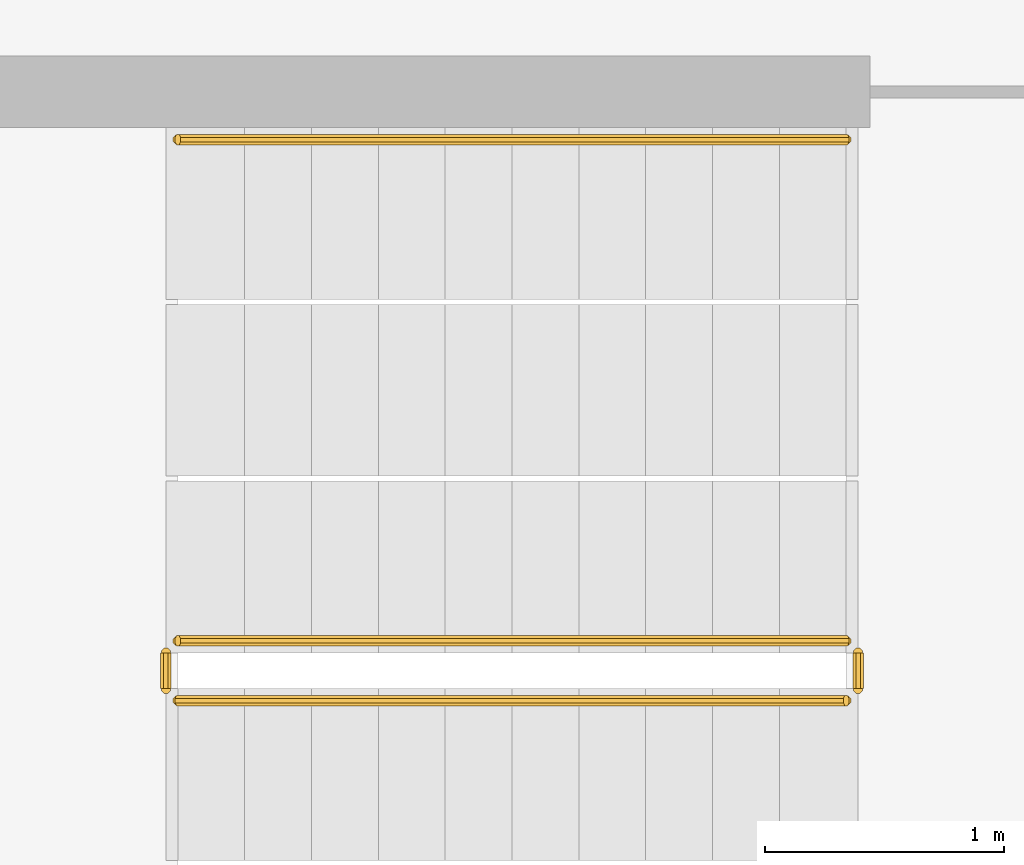
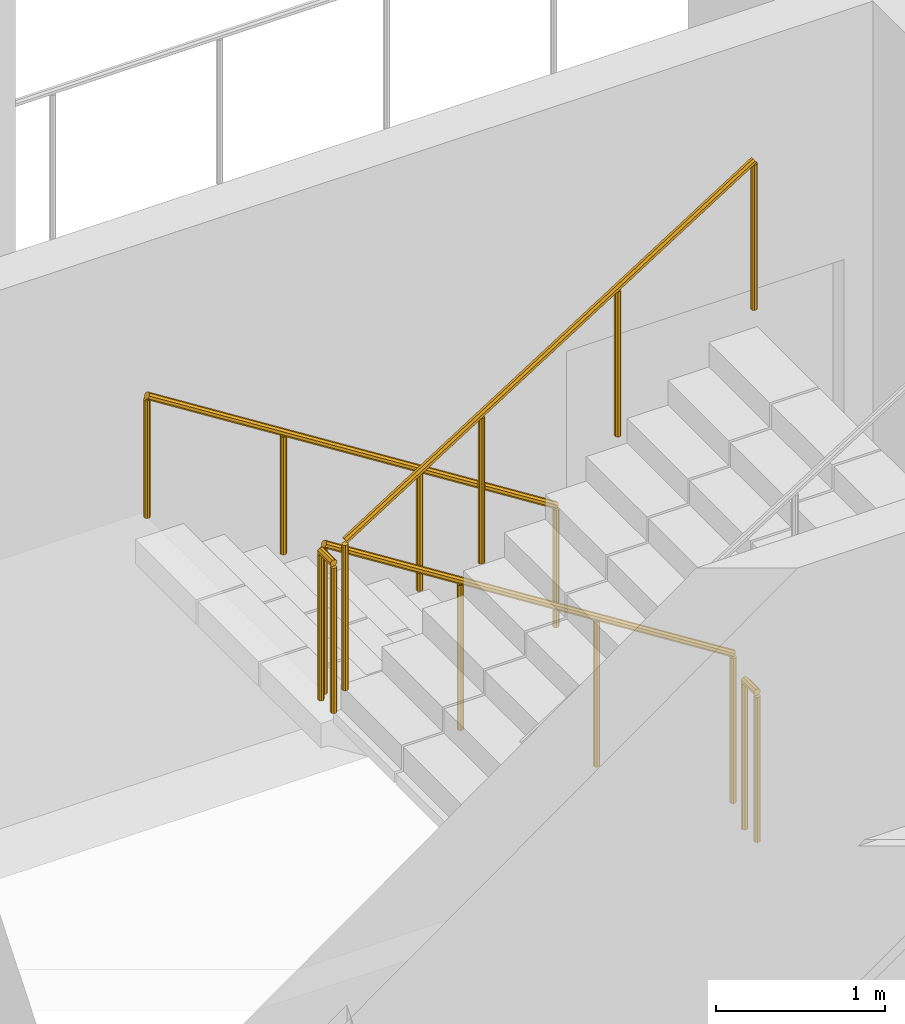
# One storey, part 19 of 26: 5 railings.
"""IFC4 building model written with IfcOpenShell, lengths in metres."""

from ifc_helpers import new_model, si_unit, direction, frame, origin, place, context, subcontext, project, spatial, polyline, outline, extrude, material, type_object, element, save


model = new_model("IFC4")

# Units and contexts
model_context = context("Model", 3, precision=1e-05, world=origin(), true_north=direction((0.0, 1.0)))
body_context = subcontext(model_context, "Body", "Model", "MODEL_VIEW")
ifc_project = project(units=[si_unit("LENGTHUNIT", "METRE"), si_unit("AREAUNIT", "SQUARE_METRE"), si_unit("VOLUMEUNIT", "CUBIC_METRE"), si_unit("PLANEANGLEUNIT", "RADIAN"), si_unit("MASSUNIT", "GRAM", prefix="KILO")], contexts=[model_context])

# Site, building, storey
site_placement = place(None, origin())
site = spatial("IfcSite", under=ifc_project, at=site_placement, CompositionType="ELEMENT")
building_placement = place(site_placement, origin())
building = spatial("IfcBuilding", under=site, at=building_placement, Name="Cormorant Relay Tower", CompositionType="ELEMENT")
storey_placement = place(building_placement, frame((0.0, 0.0, 205.199951171875)))
storey = spatial("IfcBuildingStorey", under=building, at=storey_placement, Name="L44", CompositionType="ELEMENT", Elevation=205.199951171875)

# Railings
ifc_material_1 = material(Name="Steel ASTM A572 Grade 50 (Fy 345 MPa)", Category="steel")
railing_type_1 = type_object("IfcRailingType", Name="Stair guard 1100", PredefinedType="GUARDRAIL", material=ifc_material_1)
railing_1_placement = place(storey_placement, frame((1.60009765625, -18.27490234375, 0.17724609375)))
element("IfcRailing", 1, at=railing_1_placement, inside=storey, type_object=railing_type_1, Name="L44 RK1 stair guard 1", PredefinedType="GUARDRAIL", context=body_context, shape_type="SweptSolid", body=[
    extrude(outline(polyline([(0.022216796875, 0.00927734375), (0.00927734375, 0.022216796875), (-0.00927734375, 0.022216796875), (-0.022216796875, 0.00927734375), (-0.022216796875, -0.00927734375), (-0.00927734375, -0.022216796875), (0.00927734375, -0.022216796875), (0.022216796875, -0.00927734375), (0.022216796875, 0.00927734375)])), frame((0.0, 0.0, 1.076171875), z_axis=(-0.844908973607, 0.0, 0.534910110503), x_axis=(0.0, -1.0, 0.0)), (0.0, 0.0, 1.0), 3.31396484375),
    extrude(outline(polyline([(0.019287109375, 0.008056640625), (0.008056640625, 0.019287109375), (-0.008056640625, 0.019287109375), (-0.019287109375, 0.008056640625), (-0.019287109375, -0.008056640625), (-0.008056640625, -0.019287109375), (0.008056640625, -0.019287109375), (0.019287109375, -0.008056640625), (0.019287109375, 0.008056640625)])), origin(), (0.0, 0.0, 1.0), 1.052001953125),
    extrude(outline(polyline([(0.019287109375, 0.008056640625), (0.008056640625, 0.019287109375), (-0.008056640625, 0.019287109375), (-0.019287109375, 0.008056640625), (-0.019287109375, -0.008056640625), (-0.008056640625, -0.019287109375), (0.008056640625, -0.019287109375), (0.019287109375, -0.008056640625), (0.019287109375, 0.008056640625)])), frame((-0.933349609375, 0.0, 0.5908203125)), (0.0, 0.0, 1.0), 1.052001953125),
    extrude(outline(polyline([(0.019287109375, 0.008056640625), (0.008056640625, 0.019287109375), (-0.008056640625, 0.019287109375), (-0.019287109375, 0.008056640625), (-0.019287109375, -0.008056640625), (-0.008056640625, -0.019287109375), (0.008056640625, -0.019287109375), (0.019287109375, -0.008056640625), (0.019287109375, 0.008056640625)])), frame((-1.86669921875, 0.0, 1.181884765625)), (0.0, 0.0, 1.0), 1.052001953125),
    extrude(outline(polyline([(0.019287109375, 0.008056640625), (0.008056640625, 0.019287109375), (-0.008056640625, 0.019287109375), (-0.019287109375, 0.008056640625), (-0.019287109375, -0.008056640625), (-0.008056640625, -0.019287109375), (0.008056640625, -0.019287109375), (0.019287109375, -0.008056640625), (0.019287109375, 0.008056640625)])), frame((-2.800048828125, 0.0, 1.772705078125)), (0.0, 0.0, 1.0), 1.052001953125),
])
railing_2_placement = place(storey_placement, frame((-1.25, -18.324951171875, 1.949951171875)))
element("IfcRailing", 2, at=railing_2_placement, inside=storey, type_object=railing_type_1, Name="L44 RK1 stair guard 2", PredefinedType="GUARDRAIL", context=body_context, shape_type="SweptSolid", body=[
    extrude(outline(polyline([(0.022216796875, 0.00927734375), (0.00927734375, 0.022216796875), (-0.00927734375, 0.022216796875), (-0.022216796875, 0.00927734375), (-0.022216796875, -0.00927734375), (-0.00927734375, -0.022216796875), (0.00927734375, -0.022216796875), (0.022216796875, -0.00927734375), (0.022216796875, 0.00927734375)])), frame((0.0, 0.0, 1.076171875), z_axis=(0.0, -1.0, 0.0), x_axis=(1.0, 0.0, 0.0)), (0.0, 0.0, 1.0), 0.150146484375),
    extrude(outline(polyline([(0.019287109375, 0.008056640625), (0.008056640625, 0.019287109375), (-0.008056640625, 0.019287109375), (-0.019287109375, 0.008056640625), (-0.019287109375, -0.008056640625), (-0.008056640625, -0.019287109375), (0.008056640625, -0.019287109375), (0.019287109375, -0.008056640625), (0.019287109375, 0.008056640625)])), origin(), (0.0, 0.0, 1.0), 1.052001953125),
    extrude(outline(polyline([(0.019287109375, 0.008056640625), (0.008056640625, 0.019287109375), (-0.008056640625, 0.019287109375), (-0.019287109375, 0.008056640625), (-0.019287109375, -0.008056640625), (-0.008056640625, -0.019287109375), (0.008056640625, -0.019287109375), (0.019287109375, -0.008056640625), (0.019287109375, 0.008056640625)])), frame((0.0, -0.150146484375, 0.0)), (0.0, 0.0, 1.0), 1.052001953125),
])
railing_3_placement = place(storey_placement, frame((-1.199951171875, -18.52490234375, 2.12744140625)))
element("IfcRailing", 3, at=railing_3_placement, inside=storey, type_object=railing_type_1, Name="L44 RK1 stair guard 3", PredefinedType="GUARDRAIL", context=body_context, shape_type="SweptSolid", body=[
    extrude(outline(polyline([(0.022216796875, 0.00927734375), (0.00927734375, 0.022216796875), (-0.00927734375, 0.022216796875), (-0.022216796875, 0.00927734375), (-0.022216796875, -0.00927734375), (-0.00927734375, -0.022216796875), (0.00927734375, -0.022216796875), (0.022216796875, -0.00927734375), (0.022216796875, 0.00927734375)])), frame((0.0, 0.0, 1.076171875), z_axis=(0.844908973607, 0.0, 0.534910110503), x_axis=(0.0, 1.0, 0.0)), (0.0, 0.0, 1.0), 3.31396484375),
    extrude(outline(polyline([(0.019287109375, 0.008056640625), (0.008056640625, 0.019287109375), (-0.008056640625, 0.019287109375), (-0.019287109375, 0.008056640625), (-0.019287109375, -0.008056640625), (-0.008056640625, -0.019287109375), (0.008056640625, -0.019287109375), (0.019287109375, -0.008056640625), (0.019287109375, 0.008056640625)])), origin(), (0.0, 0.0, 1.0), 1.052001953125),
    extrude(outline(polyline([(0.019287109375, 0.008056640625), (0.008056640625, 0.019287109375), (-0.008056640625, 0.019287109375), (-0.019287109375, 0.008056640625), (-0.019287109375, -0.008056640625), (-0.008056640625, -0.019287109375), (0.008056640625, -0.019287109375), (0.019287109375, -0.008056640625), (0.019287109375, 0.008056640625)])), frame((0.933349609375, 0.0, 0.5908203125)), (0.0, 0.0, 1.0), 1.052001953125),
    extrude(outline(polyline([(0.019287109375, 0.008056640625), (0.008056640625, 0.019287109375), (-0.008056640625, 0.019287109375), (-0.019287109375, 0.008056640625), (-0.019287109375, -0.008056640625), (-0.008056640625, -0.019287109375), (0.008056640625, -0.019287109375), (0.019287109375, -0.008056640625), (0.019287109375, 0.008056640625)])), frame((1.86669921875, 0.0, 1.181884765625)), (0.0, 0.0, 1.0), 1.052001953125),
    extrude(outline(polyline([(0.019287109375, 0.008056640625), (0.008056640625, 0.019287109375), (-0.008056640625, 0.019287109375), (-0.019287109375, 0.008056640625), (-0.019287109375, -0.008056640625), (-0.008056640625, -0.019287109375), (0.008056640625, -0.019287109375), (0.019287109375, -0.008056640625), (0.019287109375, 0.008056640625)])), frame((2.800048828125, 0.0, 1.772705078125)), (0.0, 0.0, 1.0), 1.052001953125),
])
railing_4_placement = place(storey_placement, frame((1.64990234375, -18.324951171875, 0.0)))
element("IfcRailing", 4, at=railing_4_placement, inside=storey, type_object=railing_type_1, Name="L44 RK1 stair guard 4", PredefinedType="GUARDRAIL", context=body_context, shape_type="SweptSolid", body=[
    extrude(outline(polyline([(0.022216796875, 0.00927734375), (0.00927734375, 0.022216796875), (-0.00927734375, 0.022216796875), (-0.022216796875, 0.00927734375), (-0.022216796875, -0.00927734375), (-0.00927734375, -0.022216796875), (0.00927734375, -0.022216796875), (0.022216796875, -0.00927734375), (0.022216796875, 0.00927734375)])), frame((0.0, 0.0, 1.076171875), z_axis=(0.0, -1.0, 0.0), x_axis=(1.0, 0.0, 0.0)), (0.0, 0.0, 1.0), 0.150146484375),
    extrude(outline(polyline([(0.019287109375, 0.008056640625), (0.008056640625, 0.019287109375), (-0.008056640625, 0.019287109375), (-0.019287109375, 0.008056640625), (-0.019287109375, -0.008056640625), (-0.008056640625, -0.019287109375), (0.008056640625, -0.019287109375), (0.019287109375, -0.008056640625), (0.019287109375, 0.008056640625)])), origin(), (0.0, 0.0, 1.0), 1.052001953125),
    extrude(outline(polyline([(0.019287109375, 0.008056640625), (0.008056640625, 0.019287109375), (-0.008056640625, 0.019287109375), (-0.019287109375, 0.008056640625), (-0.019287109375, -0.008056640625), (-0.008056640625, -0.019287109375), (0.008056640625, -0.019287109375), (0.019287109375, -0.008056640625), (0.019287109375, 0.008056640625)])), frame((0.0, -0.150146484375, 0.0)), (0.0, 0.0, 1.0), 1.052001953125),
])
ifc_material_2 = material(Name="Steel ASTM A572 Grade 50 (Fy 345 MPa)", Category="steel")
railing_type_2 = type_object("IfcRailingType", Name="Stair handrail 900", PredefinedType="HANDRAIL", material=ifc_material_2)
railing_5_placement = place(storey_placement, frame((1.60009765625, -16.175048828125, 0.17724609375)))
element("IfcRailing", 5, at=railing_5_placement, inside=storey, type_object=railing_type_2, Name="L44 RK1 stair handrail 1", PredefinedType="HANDRAIL", context=body_context, shape_type="SweptSolid", body=[
    extrude(outline(polyline([(0.022216796875, 0.00927734375), (0.00927734375, 0.022216796875), (-0.00927734375, 0.022216796875), (-0.022216796875, 0.00927734375), (-0.022216796875, -0.00927734375), (-0.00927734375, -0.022216796875), (0.00927734375, -0.022216796875), (0.022216796875, -0.00927734375), (0.022216796875, 0.00927734375)])), frame((0.0, 0.0, 0.8759765625), z_axis=(-0.844908973607, 0.0, 0.534910110503), x_axis=(0.0, -1.0, 0.0)), (0.0, 0.0, 1.0), 3.31396484375),
    extrude(outline(polyline([(0.019287109375, 0.008056640625), (0.008056640625, 0.019287109375), (-0.008056640625, 0.019287109375), (-0.019287109375, 0.008056640625), (-0.019287109375, -0.008056640625), (-0.008056640625, -0.019287109375), (0.008056640625, -0.019287109375), (0.019287109375, -0.008056640625), (0.019287109375, 0.008056640625)])), origin(), (0.0, 0.0, 1.0), 0.851806640625),
    extrude(outline(polyline([(0.019287109375, 0.008056640625), (0.008056640625, 0.019287109375), (-0.008056640625, 0.019287109375), (-0.019287109375, 0.008056640625), (-0.019287109375, -0.008056640625), (-0.008056640625, -0.019287109375), (0.008056640625, -0.019287109375), (0.019287109375, -0.008056640625), (0.019287109375, 0.008056640625)])), frame((-0.933349609375, 0.0, 0.5908203125)), (0.0, 0.0, 1.0), 0.851806640625),
    extrude(outline(polyline([(0.019287109375, 0.008056640625), (0.008056640625, 0.019287109375), (-0.008056640625, 0.019287109375), (-0.019287109375, 0.008056640625), (-0.019287109375, -0.008056640625), (-0.008056640625, -0.019287109375), (0.008056640625, -0.019287109375), (0.019287109375, -0.008056640625), (0.019287109375, 0.008056640625)])), frame((-1.86669921875, 0.0, 1.181884765625)), (0.0, 0.0, 1.0), 0.851806640625),
    extrude(outline(polyline([(0.019287109375, 0.008056640625), (0.008056640625, 0.019287109375), (-0.008056640625, 0.019287109375), (-0.019287109375, 0.008056640625), (-0.019287109375, -0.008056640625), (-0.008056640625, -0.019287109375), (0.008056640625, -0.019287109375), (0.019287109375, -0.008056640625), (0.019287109375, 0.008056640625)])), frame((-2.800048828125, 0.0, 1.772705078125)), (0.0, 0.0, 1.0), 0.851806640625),
])

save(model, "model.ifc")
